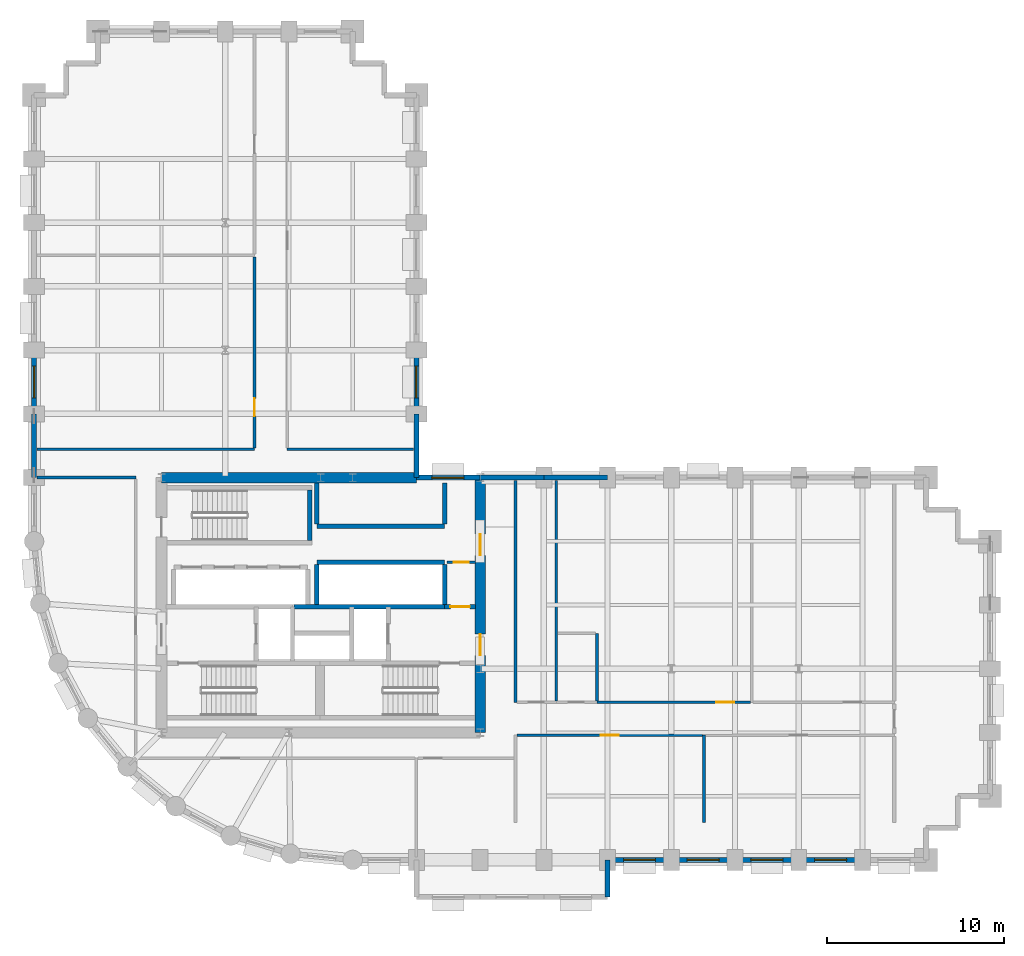
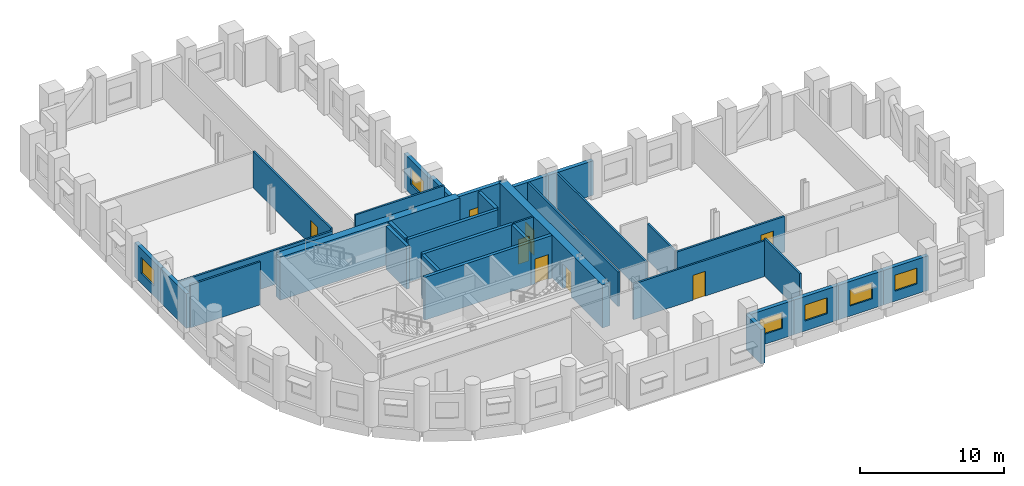
# One storey, part 7 of 12: 34 walls, 7 doors, 7 windows, 14 openings.
"""IFC4 building model written with IfcOpenShell, lengths in metres."""

from ifc_helpers import new_model, si_unit, direction, frame, frame_2d, origin, place, context, subcontext, project, spatial, rectangle, extrude, material, layer, layer_set, type_object, element, fill, save


model = new_model("IFC4")

# Units and contexts
model_context = context("Model", 3, precision=1e-05, world=origin(), true_north=direction((0.0, 1.0)))
body_context = subcontext(model_context, "Body", "Model", "MODEL_VIEW")
ifc_project = project(units=[si_unit("LENGTHUNIT", "METRE"), si_unit("AREAUNIT", "SQUARE_METRE"), si_unit("VOLUMEUNIT", "CUBIC_METRE"), si_unit("PLANEANGLEUNIT", "RADIAN"), si_unit("MASSUNIT", "GRAM", prefix="KILO")], contexts=[model_context])

# Site, building, storey
site_placement = place(None, origin())
site = spatial("IfcSite", under=ifc_project, at=site_placement, CompositionType="ELEMENT")
building_placement = place(site_placement, origin())
building = spatial("IfcBuilding", under=site, at=building_placement, Name="Solnavia Interchange Tower", CompositionType="ELEMENT")
storey_placement = place(building_placement, frame((0.0, 0.0, 31.800048828125)))
storey = spatial("IfcBuildingStorey", under=building, at=storey_placement, Name="L07", CompositionType="ELEMENT", Elevation=31.800048828125)

# Wall
ifc_material_1 = material(Name="Concrete C40/50", Category="concrete")
ifc_layer_1 = layer(ifc_material_1, 0.300048828125)
ifc_layer_set_1 = layer_set([ifc_layer_1], Name="Concrete C40/50")
wall_type_1 = type_object("IfcWallType", Name="Wall-ExtSpandrel-300", PredefinedType="STANDARD", material=ifc_layer_set_1)
wall_1_placement = place(storey_placement, frame((39.60009765625, 3.60009765625, 0.0), z_axis=(0.0, 0.0, 1.0), x_axis=(0.0, -1.0, 0.0)))
element("IfcWall", 1, at=wall_1_placement, inside=storey, type_object=wall_type_1, Name="EXW-L07-06 Exterior precast spandrel wall", PredefinedType="STANDARD", context=body_context, shape_type="SweptSolid", body=[
    extrude(rectangle(XDim=2.10009765625, YDim=0.300048828125, at=frame_2d((1.050048828125, 0.0))), origin(), (0.0, 0.0, 1.0), 2.929931640625),
])

# Wall, opening, window
wall_2_placement = place(storey_placement, frame((43.199951171875, 3.60009765625, 0.0), z_axis=(0.0, 0.0, 1.0), x_axis=(-1.0, 0.0, 0.0)))
wall_2 = element("IfcWall", 2, at=wall_2_placement, inside=storey, type_object=wall_type_1, Name="EXW-L07-07 Exterior precast spandrel wall", PredefinedType="STANDARD", context=body_context, shape_type="SweptSolid", body=[
    extrude(rectangle(XDim=3.599853515625, YDim=0.300048828125, at=frame_2d((1.7998046875, 0.0))), origin(), (0.0, 0.0, 1.0), 2.929931640625),
])
opening_1_placement = place(wall_2_placement, frame((0.89990234375, 0.0, 0.85009765625)))
opening_1 = element("IfcOpeningElement", 3, at=opening_1_placement, cuts=wall_2, Name="Opening WIN-02", PredefinedType="OPENING", context=body_context, shape_type="SweptSolid", body=[
    extrude(rectangle(XDim=1.800048828125, YDim=1.35009765625, at=frame_2d((0.89990234375, 0.675048828125))), frame((0.0, 0.16015625, 0.0), z_axis=(0.0, -1.0, 0.0), x_axis=(1.0, 0.0, 0.0)), (0.0, 0.0, 1.0), 0.320068359375),
])
ifc_material_2 = material(Name="Thermal-Break Aluminium & Low-E Glass", Category="aluminium")
window_type = type_object("IfcWindowType", Name="Window-Ribbon-1800x1350", PartitioningType="SINGLE_PANEL", PredefinedType="WINDOW", material=ifc_material_2)
window_1_placement = place(opening_1_placement, origin())
window_1 = element("IfcWindow", 4, at=window_1_placement, inside=storey, type_object=window_type, Name="WIN-L07-07 Facade ribbon window", OverallHeight=1.35009765625, OverallWidth=1.800048828125, PartitioningType="SINGLE_PANEL", PredefinedType="WINDOW", context=body_context, shape_type="SweptSolid", body=[
    extrude(rectangle(XDim=1.800048828125, YDim=1.35009765625, at=frame_2d((0.89990234375, 0.675048828125))), frame((0.0, 0.030029296875, 0.0), z_axis=(0.0, -1.0, 0.0), x_axis=(1.0, 0.0, 0.0)), (0.0, 0.0, 1.0), 0.06005859375),
])
fill(opening_1, window_1)

wall_3_placement = place(storey_placement, frame((46.800048828125, 3.60009765625, 0.0), z_axis=(0.0, 0.0, 1.0), x_axis=(-1.0, 0.0, 0.0)))
wall_3 = element("IfcWall", 5, at=wall_3_placement, inside=storey, type_object=wall_type_1, Name="EXW-L07-08 Exterior precast spandrel wall", PredefinedType="STANDARD", context=body_context, shape_type="SweptSolid", body=[
    extrude(rectangle(XDim=3.60009765625, YDim=0.300048828125, at=frame_2d((1.800048828125, 0.0))), origin(), (0.0, 0.0, 1.0), 2.929931640625),
])
opening_2_placement = place(wall_3_placement, frame((0.89990234375, 0.0, 0.85009765625)))
opening_2 = element("IfcOpeningElement", 6, at=opening_2_placement, cuts=wall_3, Name="Opening WIN-02", PredefinedType="OPENING", context=body_context, shape_type="SweptSolid", body=[
    extrude(rectangle(XDim=1.800048828125, YDim=1.35009765625, at=frame_2d((0.89990234375, 0.675048828125))), frame((0.0, 0.16015625, 0.0), z_axis=(0.0, -1.0, 0.0), x_axis=(1.0, 0.0, 0.0)), (0.0, 0.0, 1.0), 0.320068359375),
])
window_2_placement = place(opening_2_placement, origin())
window_2 = element("IfcWindow", 7, at=window_2_placement, inside=storey, type_object=window_type, Name="WIN-L07-08 Facade ribbon window", OverallHeight=1.35009765625, OverallWidth=1.800048828125, PartitioningType="SINGLE_PANEL", PredefinedType="WINDOW", context=body_context, shape_type="SweptSolid", body=[
    extrude(rectangle(XDim=1.800048828125, YDim=1.35009765625, at=frame_2d((0.89990234375, 0.675048828125))), frame((0.0, 0.030029296875, 0.0), z_axis=(0.0, -1.0, 0.0), x_axis=(1.0, 0.0, 0.0)), (0.0, 0.0, 1.0), 0.06005859375),
])
fill(opening_2, window_2)

wall_4_placement = place(storey_placement, frame((50.39990234375, 3.60009765625, 0.0), z_axis=(0.0, 0.0, 1.0), x_axis=(-1.0, 0.0, 0.0)))
wall_4 = element("IfcWall", 8, at=wall_4_placement, inside=storey, type_object=wall_type_1, Name="EXW-L07-09 Exterior precast spandrel wall", PredefinedType="STANDARD", context=body_context, shape_type="SweptSolid", body=[
    extrude(rectangle(XDim=3.599853515625, YDim=0.300048828125, at=frame_2d((1.7998046875, 0.0))), origin(), (0.0, 0.0, 1.0), 2.929931640625),
])
opening_3_placement = place(wall_4_placement, frame((0.89990234375, 0.0, 0.85009765625)))
opening_3 = element("IfcOpeningElement", 9, at=opening_3_placement, cuts=wall_4, Name="Opening WIN-02", PredefinedType="OPENING", context=body_context, shape_type="SweptSolid", body=[
    extrude(rectangle(XDim=1.800048828125, YDim=1.35009765625, at=frame_2d((0.89990234375, 0.675048828125))), frame((0.0, 0.16015625, 0.0), z_axis=(0.0, -1.0, 0.0), x_axis=(1.0, 0.0, 0.0)), (0.0, 0.0, 1.0), 0.320068359375),
])
window_3_placement = place(opening_3_placement, origin())
window_3 = element("IfcWindow", 10, at=window_3_placement, inside=storey, type_object=window_type, Name="WIN-L07-09 Facade ribbon window", OverallHeight=1.35009765625, OverallWidth=1.800048828125, PartitioningType="SINGLE_PANEL", PredefinedType="WINDOW", context=body_context, shape_type="SweptSolid", body=[
    extrude(rectangle(XDim=1.800048828125, YDim=1.35009765625, at=frame_2d((0.89990234375, 0.675048828125))), frame((0.0, 0.030029296875, 0.0), z_axis=(0.0, -1.0, 0.0), x_axis=(1.0, 0.0, 0.0)), (0.0, 0.0, 1.0), 0.06005859375),
])
fill(opening_3, window_3)

wall_5_placement = place(storey_placement, frame((54.0, 3.60009765625, 0.0), z_axis=(0.0, 0.0, 1.0), x_axis=(-1.0, 0.0, 0.0)))
wall_5 = element("IfcWall", 11, at=wall_5_placement, inside=storey, type_object=wall_type_1, Name="EXW-L07-10 Exterior precast spandrel wall", PredefinedType="STANDARD", context=body_context, shape_type="SweptSolid", body=[
    extrude(rectangle(XDim=3.60009765625, YDim=0.300048828125, at=frame_2d((1.800048828125, 0.0))), origin(), (0.0, 0.0, 1.0), 2.929931640625),
])
opening_4_placement = place(wall_5_placement, frame((0.89990234375, 0.0, 0.85009765625)))
opening_4 = element("IfcOpeningElement", 12, at=opening_4_placement, cuts=wall_5, Name="Opening WIN-02", PredefinedType="OPENING", context=body_context, shape_type="SweptSolid", body=[
    extrude(rectangle(XDim=1.800048828125, YDim=1.35009765625, at=frame_2d((0.89990234375, 0.675048828125))), frame((0.0, 0.16015625, 0.0), z_axis=(0.0, -1.0, 0.0), x_axis=(1.0, 0.0, 0.0)), (0.0, 0.0, 1.0), 0.320068359375),
])
window_4_placement = place(opening_4_placement, origin())
window_4 = element("IfcWindow", 13, at=window_4_placement, inside=storey, type_object=window_type, Name="WIN-L07-10 Facade ribbon window", OverallHeight=1.35009765625, OverallWidth=1.800048828125, PartitioningType="SINGLE_PANEL", PredefinedType="WINDOW", context=body_context, shape_type="SweptSolid", body=[
    extrude(rectangle(XDim=1.800048828125, YDim=1.35009765625, at=frame_2d((0.89990234375, 0.675048828125))), frame((0.0, 0.030029296875, 0.0), z_axis=(0.0, -1.0, 0.0), x_axis=(1.0, 0.0, 0.0)), (0.0, 0.0, 1.0), 0.06005859375),
])
fill(opening_4, window_4)

# Walls
for number, where, z_axis, x_axis, name in (
    (14, (36.0, 25.199951171875, 0.0), (0.0, 0.0, 1.0), (1.0, 0.0, 0.0), "EXW-L07-29 Exterior precast spandrel wall"),
    (15, (32.39990234375, 25.199951171875, 0.0), (0.0, 0.0, 1.0), (1.0, 0.0, 0.0), "EXW-L07-30 Exterior precast spandrel wall"),
):
    element("IfcWall", number, at=place(storey_placement, frame(where, z_axis=z_axis, x_axis=x_axis)), inside=storey, type_object=wall_type_1, Name=name, PredefinedType="STANDARD", context=body_context, shape_type="SweptSolid", body=[
        extrude(rectangle(XDim=3.60009765625, YDim=0.300048828125, at=frame_2d((1.800048828125, 0.0))), origin(), (0.0, 0.0, 1.0), 2.929931640625),
    ])

# Wall, opening, window
wall_6_placement = place(storey_placement, frame((28.800048828125, 25.199951171875, 0.0), z_axis=(0.0, 0.0, 1.0), x_axis=(1.0, 0.0, 0.0)))
wall_6 = element("IfcWall", 16, at=wall_6_placement, inside=storey, type_object=wall_type_1, Name="EXW-L07-31 Exterior precast spandrel wall", PredefinedType="STANDARD", context=body_context, shape_type="SweptSolid", body=[
    extrude(rectangle(XDim=3.599853515625, YDim=0.300048828125, at=frame_2d((1.7998046875, 0.0))), origin(), (0.0, 0.0, 1.0), 3.635009765625),
])
opening_5_placement = place(wall_6_placement, frame((0.8779296875, 0.0, 0.85009765625)))
opening_5 = element("IfcOpeningElement", 17, at=opening_5_placement, cuts=wall_6, Name="Opening WIN-02", PredefinedType="OPENING", context=body_context, shape_type="SweptSolid", body=[
    extrude(rectangle(XDim=1.800048828125, YDim=1.35009765625, at=frame_2d((0.89990234375, 0.675048828125))), frame((0.0, 0.16015625, 0.0), z_axis=(0.0, -1.0, 0.0), x_axis=(1.0, 0.0, 0.0)), (0.0, 0.0, 1.0), 0.320068359375),
])
window_5_placement = place(opening_5_placement, origin())
window_5 = element("IfcWindow", 18, at=window_5_placement, inside=storey, type_object=window_type, Name="WIN-L07-31 Facade ribbon window", OverallHeight=1.35009765625, OverallWidth=1.800048828125, PartitioningType="SINGLE_PANEL", PredefinedType="WINDOW", context=body_context, shape_type="SweptSolid", body=[
    extrude(rectangle(XDim=1.800048828125, YDim=1.35009765625, at=frame_2d((0.89990234375, 0.675048828125))), frame((0.0, 0.030029296875, 0.0), z_axis=(0.0, -1.0, 0.0), x_axis=(1.0, 0.0, 0.0)), (0.0, 0.0, 1.0), 0.06005859375),
])
fill(opening_5, window_5)

# Wall
wall_7_placement = place(storey_placement, frame((28.800048828125, 25.199951171875, 0.0), z_axis=(0.0, 0.0, 1.0), x_axis=(0.0, 1.0, 0.0)))
element("IfcWall", 19, at=wall_7_placement, inside=storey, type_object=wall_type_1, Name="EXW-L07-32 Exterior precast spandrel wall", PredefinedType="STANDARD", context=body_context, shape_type="SweptSolid", body=[
    extrude(rectangle(XDim=3.60009765625, YDim=0.300048828125, at=frame_2d((1.800048828125, 0.0))), origin(), (0.0, 0.0, 1.0), 3.139892578125),
])

# Wall, opening, window
wall_8_placement = place(storey_placement, frame((28.800048828125, 28.800048828125, 0.0), z_axis=(0.0, 0.0, 1.0), x_axis=(0.0, 1.0, 0.0)))
wall_8 = element("IfcWall", 20, at=wall_8_placement, inside=storey, type_object=wall_type_1, Name="EXW-L07-33 Exterior precast spandrel wall", PredefinedType="STANDARD", context=body_context, shape_type="SweptSolid", body=[
    extrude(rectangle(XDim=3.599853515625, YDim=0.300048828125, at=frame_2d((1.7998046875, 0.0))), origin(), (0.0, 0.0, 1.0), 2.929931640625),
])
opening_6_placement = place(wall_8_placement, frame((0.89990234375, 0.0, 0.85009765625)))
opening_6 = element("IfcOpeningElement", 21, at=opening_6_placement, cuts=wall_8, Name="Opening WIN-02", PredefinedType="OPENING", context=body_context, shape_type="SweptSolid", body=[
    extrude(rectangle(XDim=1.800048828125, YDim=1.35009765625, at=frame_2d((0.89990234375, 0.675048828125))), frame((0.0, 0.16015625, 0.0), z_axis=(0.0, -1.0, 0.0), x_axis=(1.0, 0.0, 0.0)), (0.0, 0.0, 1.0), 0.320068359375),
])
window_6_placement = place(opening_6_placement, origin())
window_6 = element("IfcWindow", 22, at=window_6_placement, inside=storey, type_object=window_type, Name="WIN-L07-33 Facade ribbon window", OverallHeight=1.35009765625, OverallWidth=1.800048828125, PartitioningType="SINGLE_PANEL", PredefinedType="WINDOW", context=body_context, shape_type="SweptSolid", body=[
    extrude(rectangle(XDim=1.800048828125, YDim=1.35009765625, at=frame_2d((0.89990234375, 0.675048828125))), frame((0.0, 0.030029296875, 0.0), z_axis=(0.0, -1.0, 0.0), x_axis=(1.0, 0.0, 0.0)), (0.0, 0.0, 1.0), 0.06005859375),
])
fill(opening_6, window_6)

wall_9_placement = place(storey_placement, frame((7.199951171875, 28.800048828125, 0.0), z_axis=(0.0, 0.0, 1.0), x_axis=(0.0, 1.0, 0.0)))
wall_9 = element("IfcWall", 23, at=wall_9_placement, inside=storey, type_object=wall_type_1, Name="EXW-L07-54 Exterior precast spandrel wall", PredefinedType="STANDARD", context=body_context, shape_type="SweptSolid", body=[
    extrude(rectangle(XDim=3.599853515625, YDim=0.300048828125, at=frame_2d((1.7998046875, 0.0))), origin(), (0.0, 0.0, 1.0), 2.929931640625),
])
opening_7_placement = place(wall_9_placement, frame((0.89990234375, 0.0, 0.85009765625)))
opening_7 = element("IfcOpeningElement", 24, at=opening_7_placement, cuts=wall_9, Name="Opening WIN-02", PredefinedType="OPENING", context=body_context, shape_type="SweptSolid", body=[
    extrude(rectangle(XDim=1.800048828125, YDim=1.35009765625, at=frame_2d((0.89990234375, 0.675048828125))), frame((0.0, 0.16015625, 0.0), z_axis=(0.0, -1.0, 0.0), x_axis=(1.0, 0.0, 0.0)), (0.0, 0.0, 1.0), 0.320068359375),
])
window_7_placement = place(opening_7_placement, origin())
window_7 = element("IfcWindow", 25, at=window_7_placement, inside=storey, type_object=window_type, Name="WIN-L07-54 Facade ribbon window", OverallHeight=1.35009765625, OverallWidth=1.800048828125, PartitioningType="SINGLE_PANEL", PredefinedType="WINDOW", context=body_context, shape_type="SweptSolid", body=[
    extrude(rectangle(XDim=1.800048828125, YDim=1.35009765625, at=frame_2d((0.89990234375, 0.675048828125))), frame((0.0, 0.030029296875, 0.0), z_axis=(0.0, -1.0, 0.0), x_axis=(1.0, 0.0, 0.0)), (0.0, 0.0, 1.0), 0.06005859375),
])
fill(opening_7, window_7)

# Wall
wall_10_placement = place(storey_placement, frame((7.199951171875, 25.199951171875, 0.0), z_axis=(0.0, 0.0, 1.0), x_axis=(0.0, 1.0, 0.0)))
element("IfcWall", 26, at=wall_10_placement, inside=storey, type_object=wall_type_1, Name="EXW-L07-55 Exterior precast spandrel wall", PredefinedType="STANDARD", context=body_context, shape_type="SweptSolid", body=[
    extrude(rectangle(XDim=3.60009765625, YDim=0.300048828125, at=frame_2d((1.800048828125, 0.0))), origin(), (0.0, 0.0, 1.0), 2.929931640625),
])

# Wall, opening, door
ifc_material_3 = material(Name="Gypsum Plasterboard & Steel Stud", Category="steel")
ifc_layer_2 = layer(ifc_material_3, 0.14990234375)
ifc_layer_set_2 = layer_set([ifc_layer_2], Name="Gypsum Plasterboard & Steel Stud")
wall_type_2 = type_object("IfcWallType", Name="Wall-Partition-150", PredefinedType="PARTITIONING", material=ifc_layer_set_2)
wall_11_placement = place(storey_placement, frame((30.52001953125, 20.419921875, 0.0), z_axis=(0.0, 0.0, 1.0), x_axis=(1.0, 0.0, 0.0)))
wall_11 = element("IfcWall", 27, at=wall_11_placement, inside=storey, type_object=wall_type_2, Name="CSW-L07-SE-N Core shaft wall", PredefinedType="PARTITIONING", context=body_context, shape_type="SweptSolid", body=[
    extrude(rectangle(XDim=1.6298828125, YDim=0.14990234375, at=frame_2d((0.81494140625, 0.0))), origin(), (0.0, 0.0, 1.0), 3.635009765625),
])
opening_8_placement = place(wall_11_placement, frame((0.3798828125, 0.0, 0.0)))
opening_8 = element("IfcOpeningElement", 28, at=opening_8_placement, cuts=wall_11, Name="Opening DR-10", PredefinedType="OPENING", context=body_context, shape_type="SweptSolid", body=[
    extrude(rectangle(XDim=0.85009765625, YDim=2.10009765625, at=frame_2d((0.425048828125, 1.050048828125))), frame((0.0, 0.0849609375, 0.0), z_axis=(0.0, -1.0, 0.0), x_axis=(1.0, 0.0, 0.0)), (0.0, 0.0, 1.0), 0.169921875),
])
ifc_material_4 = material(Name="Moisture-Resistant Timber Door", Category="wood")
door_type_1 = type_object("IfcDoorType", Name="Door-Bathroom-850x2100", OperationType="SINGLE_SWING_RIGHT", PredefinedType="DOOR", material=ifc_material_4)
door_1_placement = place(opening_8_placement, origin())
door_1 = element("IfcDoor", 29, at=door_1_placement, inside=storey, type_object=door_type_1, Name="DR-L07-CSE1 Core fire door", OperationType="SINGLE_SWING_LEFT", OverallHeight=2.10009765625, OverallWidth=0.85009765625, PredefinedType="DOOR", context=body_context, shape_type="SweptSolid", body=[
    extrude(rectangle(XDim=0.85009765625, YDim=2.10009765625, at=frame_2d((0.425048828125, 1.050048828125))), frame((0.0, 0.02490234375, 0.0), z_axis=(0.0, -1.0, 0.0), x_axis=(1.0, 0.0, 0.0)), (0.0, 0.0, 1.0), 0.050048828125),
])
fill(opening_8, door_1)

# Walls
wall_12_placement = place(storey_placement, frame((7.35400390625, 25.199951171875, 0.0), z_axis=(0.0, 0.0, 1.0), x_axis=(1.0, 0.0, 0.0)))
element("IfcWall", 30, at=wall_12_placement, inside=storey, type_object=wall_type_2, Name="PTW-L07-07 Interior partition wall", PredefinedType="PARTITIONING", context=body_context, shape_type="SweptSolid", body=[
    extrude(rectangle(XDim=5.595947265625, YDim=0.14990234375, at=frame_2d((2.7978515625, 0.0))), origin(), (0.0, 0.0, 1.0), 3.635009765625),
])
wall_13_placement = place(storey_placement, frame((45.050048828125, 5.699951171875, 0.0), z_axis=(0.0, 0.0, 1.0), x_axis=(0.0, 1.0, 0.0)))
element("IfcWall", 31, at=wall_13_placement, inside=storey, type_object=wall_type_2, Name="PTW-L07-14 Interior partition wall", PredefinedType="PARTITIONING", context=body_context, shape_type="SweptSolid", body=[
    extrude(rectangle(XDim=4.949951171875, YDim=0.14990234375, at=frame_2d((2.47509765625, 0.0))), origin(), (0.0, 0.0, 1.0), 3.179931640625),
])

# Wall, opening, door
wall_14_placement = place(storey_placement, frame((34.47900390625, 10.64990234375, 0.0), z_axis=(0.0, 0.0, 1.0), x_axis=(1.0, 0.0, 0.0)))
wall_14 = element("IfcWall", 32, at=wall_14_placement, inside=storey, type_object=wall_type_2, Name="PTW-L07-15 Interior partition wall", PredefinedType="PARTITIONING", context=body_context, shape_type="SweptSolid", body=[
    extrude(rectangle(XDim=10.491943359375, YDim=0.14990234375, at=frame_2d((5.24609375, 0.0))), origin(), (0.0, 0.0, 1.0), 3.030029296875),
])
opening_9_placement = place(wall_14_placement, frame((4.74609375, 0.0, 0.0)))
opening_9 = element("IfcOpeningElement", 33, at=opening_9_placement, cuts=wall_14, Name="Opening DR-07", PredefinedType="OPENING", context=body_context, shape_type="SweptSolid", body=[
    extrude(rectangle(XDim=1.0, YDim=2.10009765625, at=frame_2d((0.5, 1.050048828125))), frame((0.0, 0.0849609375, 0.0), z_axis=(0.0, -1.0, 0.0), x_axis=(1.0, 0.0, 0.0)), (0.0, 0.0, 1.0), 0.169921875),
])
ifc_material_5 = material(Name="Timber & Acoustic Glazed Office Door", Category="wood")
door_type_2 = type_object("IfcDoorType", Name="Door-Office-1000x2100", OperationType="SINGLE_SWING_RIGHT", PredefinedType="DOOR", material=ifc_material_5)
door_2_placement = place(opening_9_placement, origin())
door_2 = element("IfcDoor", 34, at=door_2_placement, inside=storey, type_object=door_type_2, Name="DR-L07-06 Interior room door", OperationType="SINGLE_SWING_LEFT", OverallHeight=2.10009765625, OverallWidth=1.0, PredefinedType="DOOR", context=body_context, shape_type="SweptSolid", body=[
    extrude(rectangle(XDim=1.0, YDim=2.10009765625, at=frame_2d((0.5, 1.050048828125))), frame((0.0, 0.02490234375, 0.0), z_axis=(0.0, -1.0, 0.0), x_axis=(1.0, 0.0, 0.0)), (0.0, 0.0, 1.0), 0.050048828125),
])
fill(opening_9, door_2)

wall_15_placement = place(storey_placement, frame((39.0, 12.5, 0.0), z_axis=(0.0, 0.0, 1.0), x_axis=(1.0, 0.0, 0.0)))
wall_15 = element("IfcWall", 35, at=wall_15_placement, inside=storey, type_object=wall_type_2, Name="PTW-L07-18 Interior partition wall", PredefinedType="PARTITIONING", context=body_context, shape_type="SweptSolid", body=[
    extrude(rectangle(XDim=8.660888671875, YDim=0.14990234375, at=frame_2d((4.33056640625, 0.0))), origin(), (0.0, 0.0, 1.0), 3.0400390625),
])
opening_10_placement = place(wall_15_placement, frame((6.741943359375, 0.0, 0.0)))
opening_10 = element("IfcOpeningElement", 36, at=opening_10_placement, cuts=wall_15, Name="Opening DR-07", PredefinedType="OPENING", context=body_context, shape_type="SweptSolid", body=[
    extrude(rectangle(XDim=1.0, YDim=2.10009765625, at=frame_2d((0.5, 1.050048828125))), frame((0.0, 0.0849609375, 0.0), z_axis=(0.0, -1.0, 0.0), x_axis=(1.0, 0.0, 0.0)), (0.0, 0.0, 1.0), 0.169921875),
])
door_3_placement = place(opening_10_placement, origin())
door_3 = element("IfcDoor", 37, at=door_3_placement, inside=storey, type_object=door_type_2, Name="DR-L07-08 Interior room door", OperationType="SINGLE_SWING_RIGHT", OverallHeight=2.10009765625, OverallWidth=1.0, PredefinedType="DOOR", context=body_context, shape_type="SweptSolid", body=[
    extrude(rectangle(XDim=1.0, YDim=2.10009765625, at=frame_2d((0.5, 1.050048828125))), frame((0.0, 0.02490234375, 0.0), z_axis=(0.0, -1.0, 0.0), x_axis=(1.0, 0.0, 0.0)), (0.0, 0.0, 1.0), 0.050048828125),
])
fill(opening_10, door_3)

# Wall
wall_16_placement = place(storey_placement, frame((7.35400390625, 26.800048828125, 0.0), z_axis=(0.0, 0.0, 1.0), x_axis=(1.0, 0.0, 0.0)))
element("IfcWall", 38, at=wall_16_placement, inside=storey, type_object=wall_type_2, Name="PTW-L07-23 Interior partition wall", PredefinedType="PARTITIONING", context=body_context, shape_type="SweptSolid", body=[
    extrude(rectangle(XDim=12.2958984375, YDim=0.14990234375, at=frame_2d((6.14794921875, 0.0))), origin(), (0.0, 0.0, 1.0), 2.929931640625),
])

# Wall, opening, door
wall_17_placement = place(storey_placement, frame((19.64990234375, 26.87890625, 0.0), z_axis=(0.0, 0.0, 1.0), x_axis=(0.0, 1.0, 0.0)))
wall_17 = element("IfcWall", 39, at=wall_17_placement, inside=storey, type_object=wall_type_2, Name="PTW-L07-25 Interior partition wall", PredefinedType="PARTITIONING", context=body_context, shape_type="SweptSolid", body=[
    extrude(rectangle(XDim=10.7919921875, YDim=0.14990234375, at=frame_2d((5.39599609375, 0.0))), origin(), (0.0, 0.0, 1.0), 3.079833984375),
])
opening_11_placement = place(wall_17_placement, frame((1.79296875, 0.0, 0.0)))
opening_11 = element("IfcOpeningElement", 40, at=opening_11_placement, cuts=wall_17, Name="Opening DR-07", PredefinedType="OPENING", context=body_context, shape_type="SweptSolid", body=[
    extrude(rectangle(XDim=1.0, YDim=2.10009765625, at=frame_2d((0.5, 1.050048828125))), frame((0.0, 0.0849609375, 0.0), z_axis=(0.0, -1.0, 0.0), x_axis=(1.0, 0.0, 0.0)), (0.0, 0.0, 1.0), 0.169921875),
])
door_4_placement = place(opening_11_placement, origin())
door_4 = element("IfcDoor", 41, at=door_4_placement, inside=storey, type_object=door_type_2, Name="DR-L07-11 Interior room door", OperationType="SINGLE_SWING_RIGHT", OverallHeight=2.10009765625, OverallWidth=1.0, PredefinedType="DOOR", context=body_context, shape_type="SweptSolid", body=[
    extrude(rectangle(XDim=1.0, YDim=2.10009765625, at=frame_2d((0.5, 1.050048828125))), frame((0.0, 0.02490234375, 0.0), z_axis=(0.0, -1.0, 0.0), x_axis=(1.0, 0.0, 0.0)), (0.0, 0.0, 1.0), 0.050048828125),
])
fill(opening_11, door_4)

# Walls
wall_18_placement = place(storey_placement, frame((21.5, 26.800048828125, 0.0), z_axis=(0.0, 0.0, 1.0), x_axis=(1.0, 0.0, 0.0)))
element("IfcWall", 42, at=wall_18_placement, inside=storey, type_object=wall_type_2, Name="PTW-L07-27 Interior partition wall", PredefinedType="PARTITIONING", context=body_context, shape_type="SweptSolid", body=[
    extrude(rectangle(XDim=7.14599609375, YDim=0.14990234375, at=frame_2d((3.572998046875, 0.0))), origin(), (0.0, 0.0, 1.0), 3.635009765625),
])
ifc_layer_3 = layer(ifc_material_1, 0.25)
ifc_layer_set_3 = layer_set([ifc_layer_3], Name="Concrete C40/50")
wall_type_3 = type_object("IfcWallType", Name="Wall-ShaftCore-250", PredefinedType="SHEAR", material=ifc_layer_set_3)
wall_19_placement = place(storey_placement, frame((22.77490234375, 21.64990234375, 0.0), z_axis=(0.0, 0.0, 1.0), x_axis=(0.0, 1.0, 0.0)))
element("IfcWall", 43, at=wall_19_placement, inside=storey, type_object=wall_type_3, Name="SHW-L07-ST3E Core shear wall", PredefinedType="SHEAR", context=body_context, shape_type="SweptSolid", body=[
    extrude(rectangle(XDim=2.840087890625, YDim=0.25, at=frame_2d((1.419921875, 0.0))), origin(), (0.0, 0.0, 1.0), 3.64990234375),
])
ifc_layer_4 = layer(ifc_material_1, 0.25)
ifc_layer_set_4 = layer_set([ifc_layer_4], Name="Concrete C40/50")
wall_type_4 = type_object("IfcWallType", Name="Wall-ShaftPart-250", PredefinedType="PARTITIONING", material=ifc_layer_set_4)
wall_20_placement = place(storey_placement, frame((21.8798828125, 17.89990234375, 0.0), z_axis=(0.0, 0.0, 1.0), x_axis=(1.0, 0.0, 0.0)))
element("IfcWall", 44, at=wall_20_placement, inside=storey, type_object=wall_type_4, Name="SHW-L07-FFLE-N1 Core shaft wall", PredefinedType="PARTITIONING", context=body_context, shape_type="SweptSolid", body=[
    extrude(rectangle(XDim=8.52001953125, YDim=0.25, at=frame_2d((4.260009765625, 0.0))), origin(), (0.0, 0.0, 1.0), 3.635009765625),
])

# Wall, opening, door
wall_21_placement = place(storey_placement, frame((30.39990234375, 17.89990234375, 0.0), z_axis=(0.0, 0.0, 1.0), x_axis=(1.0, 0.0, 0.0)))
wall_21 = element("IfcWall", 45, at=wall_21_placement, inside=storey, type_object=wall_type_4, Name="SHW-L07-FFLE-N2 Core shaft wall", PredefinedType="PARTITIONING", context=body_context, shape_type="SweptSolid", body=[
    extrude(rectangle(XDim=1.75, YDim=0.25, at=frame_2d((0.875, 0.0))), origin(), (0.0, 0.0, 1.0), 3.635009765625),
])
opening_12_placement = place(wall_21_placement, frame((0.320068359375, 0.0, 0.0)))
opening_12 = element("IfcOpeningElement", 46, at=opening_12_placement, cuts=wall_21, Name="Opening DR-01", PredefinedType="OPENING", context=body_context, shape_type="SweptSolid", body=[
    extrude(rectangle(XDim=1.10009765625, YDim=2.10009765625, at=frame_2d((0.550048828125, 1.050048828125))), frame((0.0, 0.135009765625, 0.0), z_axis=(0.0, -1.0, 0.0), x_axis=(1.0, 0.0, 0.0)), (0.0, 0.0, 1.0), 0.27001953125),
])
ifc_material_6 = material(Name="Steel Fire-Rated Leaf & Frame", Category="steel")
door_type_3 = type_object("IfcDoorType", Name="Door-StairFire-1100x2100", OperationType="SINGLE_SWING_LEFT", PredefinedType="DOOR", material=ifc_material_6)
door_5_placement = place(opening_12_placement, origin())
door_5 = element("IfcDoor", 47, at=door_5_placement, inside=storey, type_object=door_type_3, Name="DR-L07-LLC Core fire door", OperationType="SINGLE_SWING_LEFT", OverallHeight=2.10009765625, OverallWidth=1.10009765625, PredefinedType="DOOR", context=body_context, shape_type="SweptSolid", body=[
    extrude(rectangle(XDim=1.10009765625, YDim=2.10009765625, at=frame_2d((0.550048828125, 1.050048828125))), frame((0.0, 0.02490234375, 0.0), z_axis=(0.0, -1.0, 0.0), x_axis=(1.0, 0.0, 0.0)), (0.0, 0.0, 1.0), 0.050048828125),
])
fill(opening_12, door_5)

# Walls
wall_22_placement = place(storey_placement, frame((23.179931640625, 20.419921875, 0.0), z_axis=(0.0, 0.0, 1.0), x_axis=(1.0, 0.0, 0.0)))
element("IfcWall", 48, at=wall_22_placement, inside=storey, type_object=wall_type_4, Name="SHW-L07-B2N Core shaft wall", PredefinedType="PARTITIONING", context=body_context, shape_type="SweptSolid", body=[
    extrude(rectangle(XDim=7.219970703125, YDim=0.25, at=frame_2d((3.60986328125, 0.0))), origin(), (0.0, 0.0, 1.0), 3.635009765625),
])
for number, where, z_axis, x_axis, name in (
    (49, (23.179931640625, 18.02490234375, 0.0), (0.0, 0.0, 1.0), (0.0, 1.0, 0.0), "SHW-L07-B2W Core shaft wall"),
    (50, (30.39990234375, 18.02490234375, 0.0), (0.0, 0.0, 1.0), (0.0, 1.0, 0.0), "SHW-L07-B2E Core shaft wall"),
):
    element("IfcWall", number, at=place(storey_placement, frame(where, z_axis=z_axis, x_axis=x_axis)), inside=storey, type_object=wall_type_4, Name=name, PredefinedType="PARTITIONING", context=body_context, shape_type="SweptSolid", body=[
        extrude(rectangle(XDim=2.27001953125, YDim=0.25, at=frame_2d((1.135009765625, 0.0))), origin(), (0.0, 0.0, 1.0), 3.635009765625),
    ])
wall_23_placement = place(storey_placement, frame((23.179931640625, 22.4599609375, 0.0), z_axis=(0.0, 0.0, 1.0), x_axis=(1.0, 0.0, 0.0)))
element("IfcWall", 51, at=wall_23_placement, inside=storey, type_object=wall_type_4, Name="SHW-L07-B3S Core shaft wall", PredefinedType="PARTITIONING", context=body_context, shape_type="SweptSolid", body=[
    extrude(rectangle(XDim=7.219970703125, YDim=0.25, at=frame_2d((3.60986328125, 0.0))), origin(), (0.0, 0.0, 1.0), 3.635009765625),
])
for number, where, z_axis, x_axis, name in (
    (52, (23.179931640625, 22.5849609375, 0.0), (0.0, 0.0, 1.0), (0.0, 1.0, 0.0), "SHW-L07-B3W Core shaft wall"),
    (53, (30.39990234375, 22.5849609375, 0.0), (0.0, 0.0, 1.0), (0.0, 1.0, 0.0), "SHW-L07-B3E Core shaft wall"),
):
    element("IfcWall", number, at=place(storey_placement, frame(where, z_axis=z_axis, x_axis=x_axis)), inside=storey, type_object=wall_type_4, Name=name, PredefinedType="PARTITIONING", context=body_context, shape_type="SweptSolid", body=[
        extrude(rectangle(XDim=2.31494140625, YDim=0.25, at=frame_2d((1.157470703125, 0.0))), origin(), (0.0, 0.0, 1.0), 3.635009765625),
    ])
ifc_material_7 = material(Name="Concrete C60/75", Category="concrete")
ifc_layer_5 = layer(ifc_material_7, 0.60009765625)
ifc_layer_set_5 = layer_set([ifc_layer_5], Name="Concrete C60/75")
wall_type_5 = type_object("IfcWallType", Name="Wall-ShearCore-600", PredefinedType="SHEAR", material=ifc_layer_set_5)
wall_24_placement = place(storey_placement, frame((14.39990234375, 25.199951171875, 0.0), z_axis=(0.0, 0.0, 1.0), x_axis=(1.0, 0.0, 0.0)))
element("IfcWall", 54, at=wall_24_placement, inside=storey, type_object=wall_type_5, Name="CRW-L07-N Core shear wall", PredefinedType="SHEAR", context=body_context, shape_type="SweptSolid", body=[
    extrude(rectangle(XDim=14.400146484375, YDim=0.60009765625, at=frame_2d((7.2001953125, 0.0))), origin(), (0.0, 0.0, 1.0), 3.64990234375),
])

# Wall, openings, doors
wall_25_placement = place(storey_placement, frame((32.39990234375, 10.800048828125, 0.0), z_axis=(0.0, 0.0, 1.0), x_axis=(0.0, 1.0, 0.0)))
wall_25 = element("IfcWall", 55, at=wall_25_placement, inside=storey, type_object=wall_type_5, Name="CRW-L07-E Core shear wall", PredefinedType="SHEAR", context=body_context, shape_type="SweptSolid", body=[
    extrude(rectangle(XDim=14.39990234375, YDim=0.60009765625, at=frame_2d((7.199951171875, 0.0))), origin(), (0.0, 0.0, 1.0), 3.64990234375),
])
opening_13_placement = place(wall_25_placement, frame((4.35009765625, 0.0, 0.0)))
opening_13 = element("IfcOpeningElement", 56, at=opening_13_placement, cuts=wall_25, Name="Opening DR-02", PredefinedType="OPENING", context=body_context, shape_type="SweptSolid", body=[
    extrude(rectangle(XDim=1.199951171875, YDim=2.10009765625, at=frame_2d((0.60009765625, 1.050048828125))), frame((0.0, 0.31005859375, 0.0), z_axis=(0.0, -1.0, 0.0), x_axis=(1.0, 0.0, 0.0)), (0.0, 0.0, 1.0), 0.6201171875),
])
opening_14_placement = place(wall_25_placement, frame((10.0, 0.0, 0.0)))
opening_14 = element("IfcOpeningElement", 57, at=opening_14_placement, cuts=wall_25, Name="Opening DR-02", PredefinedType="OPENING", context=body_context, shape_type="SweptSolid", body=[
    extrude(rectangle(XDim=1.199951171875, YDim=2.10009765625, at=frame_2d((0.60009765625, 1.050048828125))), frame((0.0, 0.31005859375, 0.0), z_axis=(0.0, -1.0, 0.0), x_axis=(1.0, 0.0, 0.0)), (0.0, 0.0, 1.0), 0.6201171875),
])
ifc_material_8 = material(Name="Steel Fire-Rated Vision-Panel Door", Category="steel")
door_type_4 = type_object("IfcDoorType", Name="Door-LobbyFire-1200x2100", OperationType="SINGLE_SWING_RIGHT", PredefinedType="DOOR", material=ifc_material_8)
door_6_placement = place(opening_13_placement, origin())
door_6 = element("IfcDoor", 58, at=door_6_placement, inside=storey, type_object=door_type_4, Name="DR-L07-FFL2E Core fire door", OperationType="SINGLE_SWING_LEFT", OverallHeight=2.10009765625, OverallWidth=1.199951171875, PredefinedType="DOOR", context=body_context, shape_type="SweptSolid", body=[
    extrude(rectangle(XDim=1.199951171875, YDim=2.10009765625, at=frame_2d((0.60009765625, 1.050048828125))), frame((0.0, 0.02490234375, 0.0), z_axis=(0.0, -1.0, 0.0), x_axis=(1.0, 0.0, 0.0)), (0.0, 0.0, 1.0), 0.050048828125),
])
fill(opening_13, door_6)
door_7_placement = place(opening_14_placement, origin())
door_7 = element("IfcDoor", 59, at=door_7_placement, inside=storey, type_object=door_type_4, Name="DR-L07-LLE Core fire door", OperationType="SINGLE_SWING_RIGHT", OverallHeight=2.10009765625, OverallWidth=1.199951171875, PredefinedType="DOOR", context=body_context, shape_type="SweptSolid", body=[
    extrude(rectangle(XDim=1.199951171875, YDim=2.10009765625, at=frame_2d((0.60009765625, 1.050048828125))), frame((0.0, 0.02490234375, 0.0), z_axis=(0.0, -1.0, 0.0), x_axis=(1.0, 0.0, 0.0)), (0.0, 0.0, 1.0), 0.050048828125),
])
fill(opening_14, door_7)

# Walls
ifc_material_9 = material(Name="Moisture-Resistant Gypsum & Steel Stud", Category="steel")
ifc_layer_6 = layer(ifc_material_9, 0.14990234375)
ifc_layer_set_6 = layer_set([ifc_layer_6], Name="Moisture-Resistant Gypsum & Steel Stud")
wall_type_6 = type_object("IfcWallType", Name="Wall-WetRoom-150", PredefinedType="PARTITIONING", material=ifc_layer_set_6)
wall_26_placement = place(storey_placement, frame((34.39990234375, 12.5, 0.0), z_axis=(0.0, 0.0, 1.0), x_axis=(0.0, 1.0, 0.0)))
element("IfcWall", 60, at=wall_26_placement, inside=storey, type_object=wall_type_6, Name="PTW-L07-01 Interior partition wall", PredefinedType="PARTITIONING", context=body_context, shape_type="SweptSolid", body=[
    extrude(rectangle(XDim=12.5458984375, YDim=0.14990234375, at=frame_2d((6.27294921875, 0.0))), origin(), (0.0, 0.0, 1.0), 2.929931640625),
])
wall_27_placement = place(storey_placement, frame((36.699951171875, 12.5791015625, 0.0), z_axis=(0.0, 0.0, 1.0), x_axis=(0.0, 1.0, 0.0)))
element("IfcWall", 61, at=wall_27_placement, inside=storey, type_object=wall_type_6, Name="PTW-L07-03 Interior partition wall", PredefinedType="PARTITIONING", context=body_context, shape_type="SweptSolid", body=[
    extrude(rectangle(XDim=12.466796875, YDim=0.14990234375, at=frame_2d((6.2333984375, 0.0))), origin(), (0.0, 0.0, 1.0), 2.929931640625),
])
wall_28_placement = place(storey_placement, frame((39.0, 12.5791015625, 0.0), z_axis=(0.0, 0.0, 1.0), x_axis=(0.0, 1.0, 0.0)))
element("IfcWall", 62, at=wall_28_placement, inside=storey, type_object=wall_type_6, Name="PTW-L07-05 Interior partition wall", PredefinedType="PARTITIONING", context=body_context, shape_type="SweptSolid", body=[
    extrude(rectangle(XDim=3.82080078125, YDim=0.14990234375, at=frame_2d((1.910400390625, 0.0))), origin(), (0.0, 0.0, 1.0), 3.079833984375),
])

save(model, "model.ifc")
